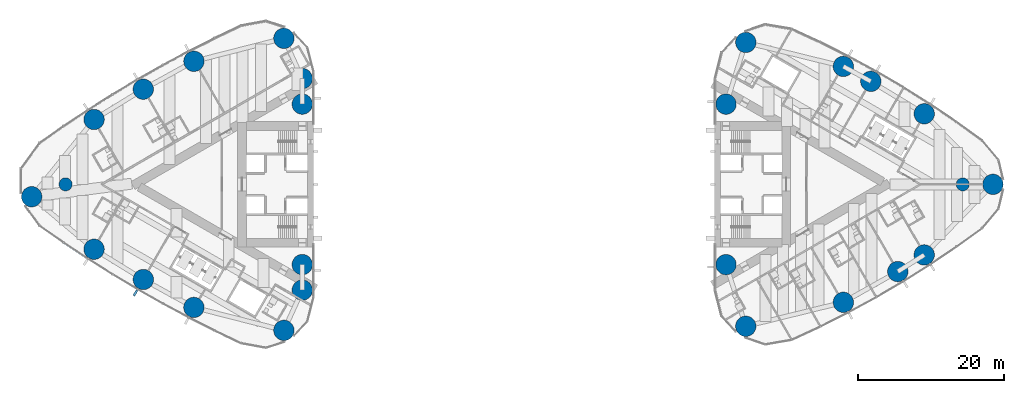
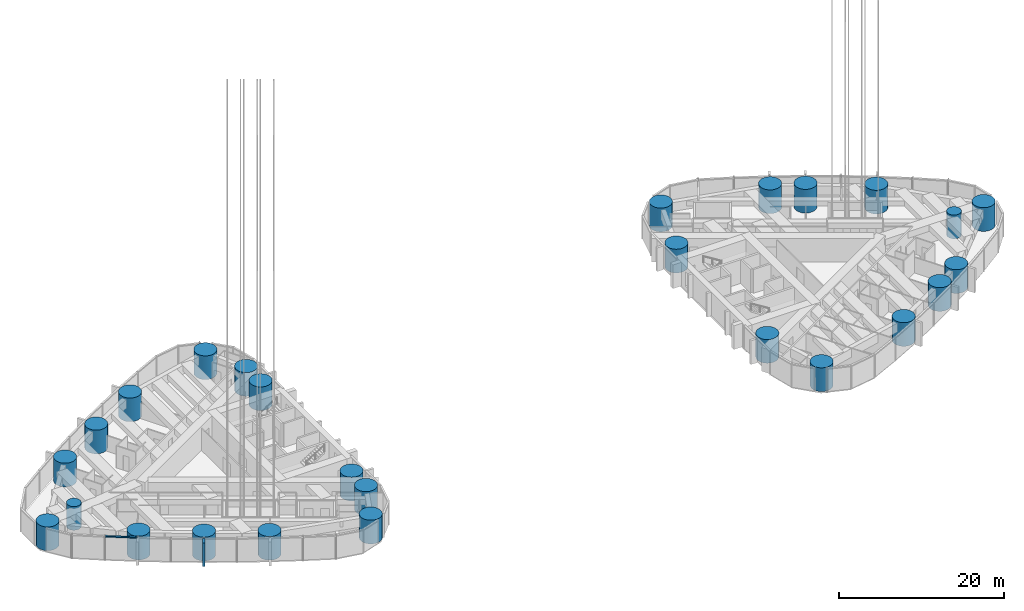
# One storey, part 1 of 21: 26 columns, 2 members, 1 element without a shape of its own.
"""IFC4 building model written with IfcOpenShell, lengths in metres."""

from ifc_helpers import new_model, si_unit, direction, frame, origin, origin_2d, place, context, subcontext, project, spatial, rectangle, circle, extrude, material, material_profile, profile_set, type_object, element, aggregate, save


model = new_model("IFC4")

# Units and contexts
model_context = context("Model", 3, precision=1e-05, world=origin(), true_north=direction((0.0, 1.0)))
body_context = subcontext(model_context, "Body", "Model", "MODEL_VIEW")
ifc_project = project(units=[si_unit("LENGTHUNIT", "METRE"), si_unit("AREAUNIT", "SQUARE_METRE"), si_unit("VOLUMEUNIT", "CUBIC_METRE"), si_unit("PLANEANGLEUNIT", "RADIAN"), si_unit("MASSUNIT", "GRAM", prefix="KILO")], contexts=[model_context])

# Site, building, storey
site_placement = place(None, origin())
site = spatial("IfcSite", under=ifc_project, at=site_placement, CompositionType="ELEMENT")
building_placement = place(site_placement, origin())
building = spatial("IfcBuilding", under=site, at=building_placement, Name="Lancet Gate Hotel", CompositionType="ELEMENT")
storey_placement = place(building_placement, frame((0.0, 0.0, 156.300048828125)))
storey = spatial("IfcBuildingStorey", under=building, at=storey_placement, Name="L41", CompositionType="ELEMENT", Elevation=156.300048828125)

# Columns
ifc_material_1 = material(Name="Concrete C60/75", Category="concrete")
ifc_material_profile_1 = material_profile(ifc_material_1, circle(Radius=0.89990234375, at=origin_2d()), Name="RC D1800")
ifc_profile_set_1 = profile_set([ifc_material_profile_1], Name="Concrete C60/75")
column_type_1 = type_object("IfcColumnType", Name="Apex column RC D1800", PredefinedType="COLUMN", material=ifc_profile_set_1)
for number, where, z_axis, x_axis, name in (
    (1, (-61.5, 0.0, 0.0), (0.0, 0.0, 1.0), (1.0, 0.0, 0.0), "T1 column AX L41"),
    (2, (61.5, 0.0, 0.0), (0.0, 0.0, 1.0), (1.0, 0.0, 0.0), "T2 column AX L41"),
):
    element("IfcColumn", number, at=place(storey_placement, frame(where, z_axis=z_axis, x_axis=x_axis)), inside=storey, type_object=column_type_1, Name=name, PredefinedType="COLUMN", context=body_context, shape_type="SweptSolid", body=[
        extrude(circle(Radius=0.89990234375, at=origin_2d()), origin(), (0.0, 0.0, 1.0), 3.5),
    ])
ifc_material_2 = material(Name="Concrete C60/75", Category="concrete")
ifc_material_profile_2 = material_profile(ifc_material_2, circle(Radius=1.39990234375, at=origin_2d()), Name="RC D2800")
ifc_profile_set_2 = profile_set([ifc_material_profile_2], Name="Concrete C60/75")
column_type_2 = type_object("IfcColumnType", Name="Perimeter column RC D2800", PredefinedType="COLUMN", material=ifc_profile_set_2)
for number, where, z_axis, x_axis, name in (
    (3, (-66.142578125, -1.6953125, 0.0), (0.0, 0.0, 1.0), (1.0, 0.0, 0.0), "T1 column CA L41"),
    (4, (-31.5654296875, -20.015869140625, 0.0), (0.0, 0.0, 1.0), (1.0, 0.0, 0.0), "T1 column CN L41"),
    (5, (-31.5654296875, 20.015869140625, 0.0), (0.0, 0.0, 1.0), (1.0, 0.0, 0.0), "T1 column CS L41"),
    (6, (-29.050048828125, -11.0, 0.0), (0.0, 0.0, 1.0), (1.0, 0.0, 0.0), "T1 column IN L41"),
    (7, (-29.050048828125, 11.0, 0.0), (0.0, 0.0, 1.0), (1.0, 0.0, 0.0), "T1 column IS L41"),
    (8, (-29.050048828125, 14.5, 0.0), (0.0, 0.0, 1.0), (1.0, 0.0, 0.0), "T1 column IT L41"),
    (9, (-29.050048828125, -14.5, 0.0), (0.0, 0.0, 1.0), (1.0, 0.0, 0.0), "T1 column JT L41"),
    (10, (-57.589599609375, -8.89306640625, 0.0), (0.0, 0.0, 1.0), (1.0, 0.0, 0.0), "T1 column ON1 L41"),
    (11, (-50.8388671875, -13.043212890625, 0.0), (0.0, 0.0, 1.0), (1.0, 0.0, 0.0), "T1 column ON2 L41"),
    (12, (-43.900390625, -16.871337890625, 0.0), (0.0, 0.0, 1.0), (1.0, 0.0, 0.0), "T1 column ON3 L41"),
    (13, (-43.900390625, 16.871337890625, 0.0), (0.0, 0.0, 1.0), (1.0, 0.0, 0.0), "T1 column OS1 L41"),
    (14, (-50.8388671875, 13.043212890625, 0.0), (0.0, 0.0, 1.0), (1.0, 0.0, 0.0), "T1 column OS2 L41"),
    (15, (-57.589599609375, 8.89306640625, 0.0), (0.0, 0.0, 1.0), (1.0, 0.0, 0.0), "T1 column OS3 L41"),
    (16, (65.6396484375, 0.0, 0.0), (0.0, 0.0, 1.0), (1.0, 0.0, 0.0), "T2 column CA L41"),
    (17, (31.759765625, 19.455810546875, 0.0), (0.0, 0.0, 1.0), (1.0, 0.0, 0.0), "T2 column CN L41"),
    (18, (31.759765625, -19.455810546875, 0.0), (0.0, 0.0, 1.0), (1.0, 0.0, 0.0), "T2 column CS L41"),
    (19, (29.050048828125, 11.0, 0.0), (0.0, 0.0, 1.0), (1.0, 0.0, 0.0), "T2 column IN L41"),
    (20, (29.050048828125, -11.0, 0.0), (0.0, 0.0, 1.0), (1.0, 0.0, 0.0), "T2 column IS L41"),
    (21, (56.220947265625, 9.67236328125, 0.0), (0.0, 0.0, 1.0), (1.0, 0.0, 0.0), "T2 column ON1 L41"),
    (22, (48.8974609375, 14.12060546875, 0.0), (0.0, 0.0, 1.0), (1.0, 0.0, 0.0), "T2 column ON2 L41"),
    (23, (45.133544921875, 16.16845703125, 0.0), (0.0, 0.0, 1.0), (1.0, 0.0, 0.0), "T2 column ON3 L41"),
    (24, (45.133544921875, -16.16845703125, 0.0), (0.0, 0.0, 1.0), (1.0, 0.0, 0.0), "T2 column OS1 L41"),
    (25, (52.594482421875, -11.95458984375, 0.0), (0.0, 0.0, 1.0), (1.0, 0.0, 0.0), "T2 column OS2 L41"),
    (26, (56.220947265625, -9.67236328125, 0.0), (0.0, 0.0, 1.0), (1.0, 0.0, 0.0), "T2 column OS3 L41"),
):
    element("IfcColumn", number, at=place(storey_placement, frame(where, z_axis=z_axis, x_axis=x_axis)), inside=storey, type_object=column_type_2, Name=name, PredefinedType="COLUMN", context=body_context, shape_type="SweptSolid", body=[
        extrude(circle(Radius=1.39990234375, at=origin_2d()), origin(), (0.0, 0.0, 1.0), 3.5),
    ])

# Curtain wall, members
ifc_material_3 = material(Name="Aluminium curtain wall", Category="aluminium")
curtain_wall_type = type_object("IfcCurtainWallType", Name="Tower unitised curtain wall", PredefinedType="USERDEFINED", material=ifc_material_3)
curtain_wall_placement = place(storey_placement, origin())
curtain_wall = element("IfcCurtainWall", 27, at=curtain_wall_placement, inside=storey, type_object=curtain_wall_type, Name="T1 L41 curtain wall 3", ObjectType="UNITISED CURTAIN WALL", PredefinedType="USERDEFINED")
ifc_material_4 = material(Name="Aluminium transom", Category="aluminium")
ifc_material_profile_3 = material_profile(ifc_material_4, rectangle(XDim=0.25, YDim=0.14990234375, at=origin_2d()), Name="TRANSOM 250x150")
ifc_profile_set_3 = profile_set([ifc_material_profile_3], Name="Aluminium transom")
member_type_1 = type_object("IfcMemberType", Name="Aluminium transom 250x150", PredefinedType="USERDEFINED", material=ifc_profile_set_3)
member_1_placement = place(storey_placement, frame((-61.735595703125, -7.998779296875, 3.425048828125), z_axis=(0.832870509189, -0.553467898729, 0.0), x_axis=(0.553467898729, 0.832870509189, 0.0)))
member_1 = element("IfcMember", 28, at=member_1_placement, type_object=member_type_1, Name="T1 L41 curtain wall 3 transom 3", ObjectType="TRANSOM", PredefinedType="USERDEFINED", context=body_context, shape_type="SweptSolid", body=[
    extrude(rectangle(XDim=0.25, YDim=0.14990234375, at=origin_2d()), origin(), (0.0, 0.0, 1.0), 3.933837890625),
])
ifc_material_5 = material(Name="Precast concrete C50/60", Category="concrete")
ifc_material_profile_4 = material_profile(ifc_material_5, rectangle(XDim=0.300048828125, YDim=0.89990234375, at=origin_2d()), Name="FIN 300x900")
ifc_profile_set_4 = profile_set([ifc_material_profile_4], Name="Precast concrete C50/60")
member_type_2 = type_object("IfcMemberType", Name="Exposed concrete fin 300x900", PredefinedType="USERDEFINED", material=ifc_profile_set_4)
member_2_placement = place(storey_placement, frame((-51.908935546875, -14.879150390625, 0.0), z_axis=(0.0, 0.0, 1.0), x_axis=(0.863968774311, -0.503545387245, 0.0)))
member_2 = element("IfcMember", 29, at=member_2_placement, type_object=member_type_2, Name="T1 L41 curtain wall 3 fin 6", ObjectType="FIN", PredefinedType="USERDEFINED", context=body_context, shape_type="SweptSolid", body=[
    extrude(rectangle(XDim=0.300048828125, YDim=0.89990234375, at=origin_2d()), origin(), (0.0, 0.0, 1.0), 3.5),
])
aggregate(curtain_wall, [member_2, member_1])

save(model, "model.ifc")
